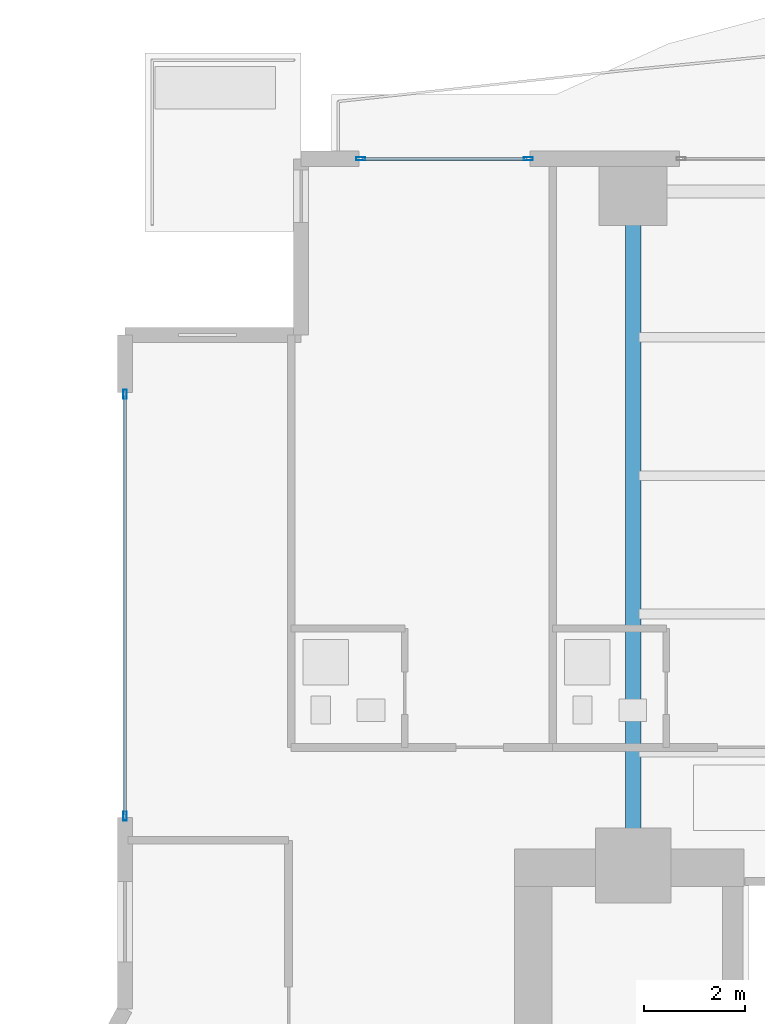
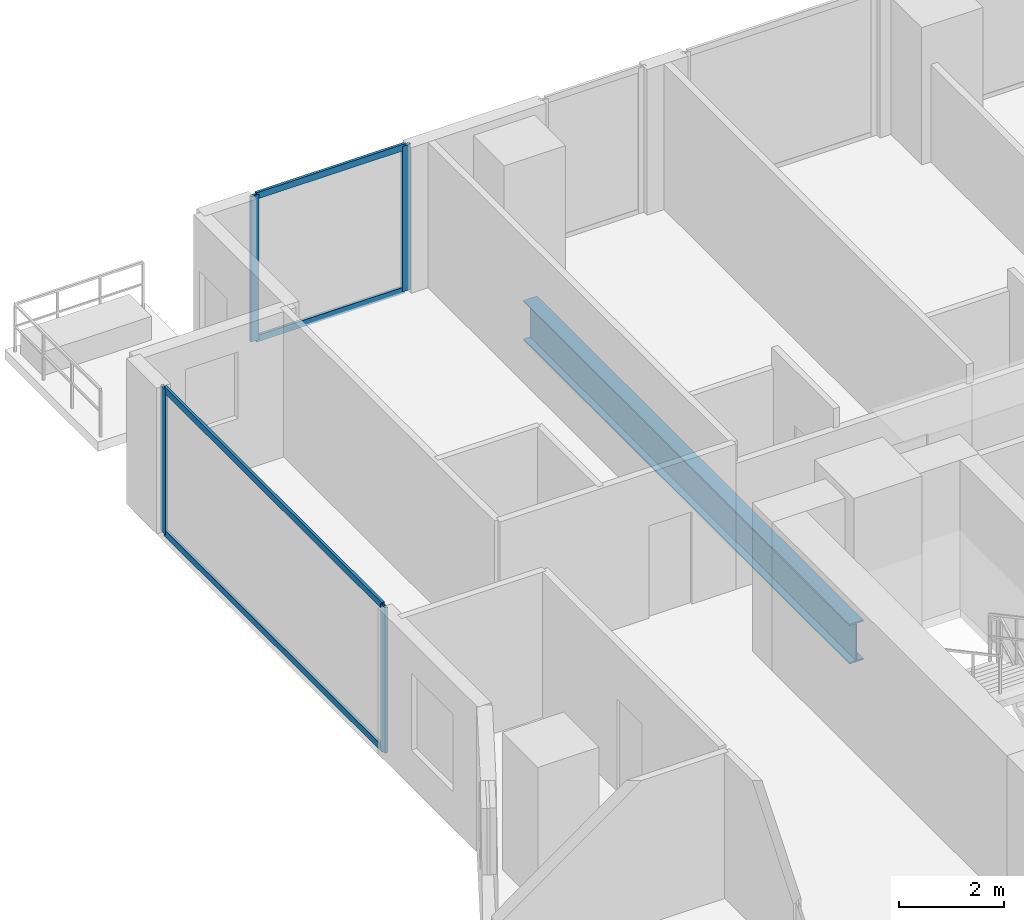
# One storey, part 14 of 29: 8 members, 1 beam, 2 elements without a shape of their own.
"""IFC4 building model written with IfcOpenShell, lengths in metres."""

from ifc_helpers import new_model, si_unit, direction, frame, origin, origin_2d, place, context, subcontext, project, spatial, hollow_rectangle, i_section, extrude, material, layer, layer_set, material_profile, profile_set, type_object, element, aggregate, save


model = new_model("IFC4")

# Units and contexts
model_context = context("Model", 3, precision=1e-05, world=origin(), true_north=direction((0.0, 1.0)))
body_context = subcontext(model_context, "Body", "Model", "MODEL_VIEW")
ifc_project = project(units=[si_unit("LENGTHUNIT", "METRE"), si_unit("AREAUNIT", "SQUARE_METRE"), si_unit("VOLUMEUNIT", "CUBIC_METRE"), si_unit("PLANEANGLEUNIT", "RADIAN"), si_unit("MASSUNIT", "GRAM", prefix="KILO")], contexts=[model_context])

# Site, building, storey
site_placement = place(None, origin())
site = spatial("IfcSite", under=ifc_project, at=site_placement, CompositionType="ELEMENT")
building_placement = place(site_placement, origin())
building = spatial("IfcBuilding", under=site, at=building_placement, Name="Zuhayl Quay Hotel", CompositionType="ELEMENT")
storey_placement = place(building_placement, frame((0.0, 0.0, 158.550048828125)))
storey = spatial("IfcBuildingStorey", under=building, at=storey_placement, Name="L40", CompositionType="ELEMENT", Elevation=158.550048828125)

# Beam
ifc_material_1 = material(Name="Steel ASTM A992 Grade 50", Category="steel")
ifc_material_profile_1 = material_profile(ifc_material_1, i_section(OverallWidth=0.306884765625, OverallDepth=0.927001953125, WebThickness=0.019287109375, FlangeThickness=0.031982421875, at=origin_2d()), Name="W36X194")
ifc_profile_set_1 = profile_set([ifc_material_profile_1], Name="Steel ASTM A992 Grade 50")
beam_type = type_object("IfcBeamType", Name="BM_PG2_W36X194", PredefinedType="BEAM", material=ifc_profile_set_1)
beam_placement = place(storey_placement, frame((-13.800048828125, 14.800048828125, -0.68359375), z_axis=(0.0, 1.0, 0.0), x_axis=(-1.0, 0.0, 0.0)))
element("IfcBeam", 1, at=beam_placement, inside=storey, type_object=beam_type, Name="L40 Floor Beam FG_N_L40_1", PredefinedType="BEAM", context=body_context, shape_type="SweptSolid", body=[
    extrude(i_section(OverallWidth=0.306884765625, OverallDepth=0.927001953125, WebThickness=0.019287109375, FlangeThickness=0.031982421875, at=origin_2d()), origin(), (0.0, 0.0, 1.0), 12.449951171875),
])

# Curtain wall, members
ifc_material_2 = material(Name="Anodised Aluminium 6063-T6", Category="aluminium")
ifc_layer = layer(ifc_material_2, 0.179931640625, Name="Anodised Aluminium 6063-T6", Category="aluminium")
ifc_layer_set = layer_set([ifc_layer], Name="Anodised Aluminium 6063-T6")
curtain_wall_type = type_object("IfcCurtainWallType", Name="CW_SYS_Z2", PredefinedType="USERDEFINED", material=ifc_layer_set)
curtain_wall_1_placement = place(storey_placement, origin())
curtain_wall_1 = element("IfcCurtainWall", 2, at=curtain_wall_1_placement, inside=storey, type_object=curtain_wall_type, Name="L40 Curtain Wall ENV_L40_E05_CW1", ObjectType="UNITISED CURTAIN WALL", PredefinedType="USERDEFINED")
ifc_material_3 = material(Name="Black-anodised aluminium 6063-T6", Category="aluminium")
ifc_material_profile_2 = material_profile(ifc_material_3, hollow_rectangle(XDim=0.06494140625, YDim=0.179931640625, WallThickness=0.00341796875, at=origin_2d()), Name="ALU180X65")
ifc_profile_set_2 = profile_set([ifc_material_profile_2], Name="Black-anodised aluminium 6063-T6")
member_type_1 = type_object("IfcMemberType", Name="MB_CW_MUL_180", PredefinedType="MULLION", material=ifc_profile_set_2)
member_1_placement = place(storey_placement, frame((-23.89990234375, 15.33251953125, 0.0), z_axis=(0.0, 0.0, 1.0), x_axis=(-1.0, 0.0, 0.0)))
member_1 = element("IfcMember", 3, at=member_1_placement, type_object=member_type_1, Name="CW-Z2 mullion 1", PredefinedType="MULLION", context=body_context, shape_type="SweptSolid", body=[
    extrude(hollow_rectangle(XDim=0.06494140625, YDim=0.179931640625, WallThickness=0.00341796875, at=origin_2d()), origin(), (0.0, 0.0, 1.0), 3.389892578125),
])
member_2_placement = place(storey_placement, frame((-23.89990234375, 23.717529296875, 0.0), z_axis=(0.0, 0.0, 1.0), x_axis=(-1.0, 0.0, 0.0)))
member_2 = element("IfcMember", 4, at=member_2_placement, type_object=member_type_1, Name="CW-Z2 mullion 2", PredefinedType="MULLION", context=body_context, shape_type="SweptSolid", body=[
    extrude(hollow_rectangle(XDim=0.06494140625, YDim=0.179931640625, WallThickness=0.00341796875, at=origin_2d()), origin(), (0.0, 0.0, 1.0), 3.389892578125),
])

curtain_wall_2_placement = place(storey_placement, origin())
curtain_wall_2 = element("IfcCurtainWall", 5, at=curtain_wall_2_placement, inside=storey, type_object=curtain_wall_type, Name="L40 Curtain Wall ENV_L40_N_CW1", ObjectType="UNITISED CURTAIN WALL", PredefinedType="USERDEFINED")
member_3_placement = place(storey_placement, frame((-19.217529296875, 28.39990234375, 0.0), z_axis=(0.0, 0.0, 1.0), x_axis=(0.0, 1.0, 0.0)))
member_3 = element("IfcMember", 6, at=member_3_placement, type_object=member_type_1, Name="CW-Z2 mullion 1", PredefinedType="MULLION", context=body_context, shape_type="SweptSolid", body=[
    extrude(hollow_rectangle(XDim=0.06494140625, YDim=0.179931640625, WallThickness=0.00341796875, at=origin_2d()), origin(), (0.0, 0.0, 1.0), 3.389892578125),
])
member_4_placement = place(storey_placement, frame((-15.882568359375, 28.39990234375, 0.0), z_axis=(0.0, 0.0, 1.0), x_axis=(0.0, 1.0, 0.0)))
member_4 = element("IfcMember", 7, at=member_4_placement, type_object=member_type_1, Name="CW-Z2 mullion 2", PredefinedType="MULLION", context=body_context, shape_type="SweptSolid", body=[
    extrude(hollow_rectangle(XDim=0.06494140625, YDim=0.179931640625, WallThickness=0.00341796875, at=origin_2d()), origin(), (0.0, 0.0, 1.0), 3.389892578125),
])

# Member
ifc_material_profile_3 = material_profile(ifc_material_3, hollow_rectangle(XDim=0.06005859375, YDim=0.14990234375, WallThickness=0.00341796875, at=origin_2d()), Name="ALU150X60")
ifc_profile_set_3 = profile_set([ifc_material_profile_3], Name="Black-anodised aluminium 6063-T6")
member_type_2 = type_object("IfcMemberType", Name="MB_CW_TRN_150", PredefinedType="USERDEFINED", material=ifc_profile_set_3)
member_5_placement = place(storey_placement, frame((-23.89990234375, 15.364990234375, 0.030029296875), z_axis=(0.0, 1.0, 0.0), x_axis=(-1.0, 0.0, 0.0)))
member_5 = element("IfcMember", 8, at=member_5_placement, type_object=member_type_2, Name="CW-Z2 transom 1.1", ObjectType="TRANSOM", PredefinedType="USERDEFINED", context=body_context, shape_type="SweptSolid", body=[
    extrude(hollow_rectangle(XDim=0.06005859375, YDim=0.14990234375, WallThickness=0.00341796875, at=origin_2d()), origin(), (0.0, 0.0, 1.0), 8.320068359375),
])

member_6_placement = place(storey_placement, frame((-23.89990234375, 15.364990234375, 3.35986328125), z_axis=(0.0, 1.0, 0.0), x_axis=(-1.0, 0.0, 0.0)))
member_6 = element("IfcMember", 9, at=member_6_placement, type_object=member_type_2, Name="CW-Z2 transom 1.2", ObjectType="TRANSOM", PredefinedType="USERDEFINED", context=body_context, shape_type="SweptSolid", body=[
    extrude(hollow_rectangle(XDim=0.06005859375, YDim=0.14990234375, WallThickness=0.00341796875, at=origin_2d()), origin(), (0.0, 0.0, 1.0), 8.320068359375),
])

aggregate(curtain_wall_1, [member_1, member_2, member_5, member_6])

member_7_placement = place(storey_placement, frame((-19.18505859375, 28.39990234375, 0.030029296875), z_axis=(1.0, 0.0, 0.0), x_axis=(0.0, 1.0, 0.0)))
member_7 = element("IfcMember", 10, at=member_7_placement, type_object=member_type_2, Name="CW-Z2 transom 1.1", ObjectType="TRANSOM", PredefinedType="USERDEFINED", context=body_context, shape_type="SweptSolid", body=[
    extrude(hollow_rectangle(XDim=0.06005859375, YDim=0.14990234375, WallThickness=0.00341796875, at=origin_2d()), origin(), (0.0, 0.0, 1.0), 3.27001953125),
])

member_8_placement = place(storey_placement, frame((-19.18505859375, 28.39990234375, 3.35986328125), z_axis=(1.0, 0.0, 0.0), x_axis=(0.0, 1.0, 0.0)))
member_8 = element("IfcMember", 11, at=member_8_placement, type_object=member_type_2, Name="CW-Z2 transom 1.2", ObjectType="TRANSOM", PredefinedType="USERDEFINED", context=body_context, shape_type="SweptSolid", body=[
    extrude(hollow_rectangle(XDim=0.06005859375, YDim=0.14990234375, WallThickness=0.00341796875, at=origin_2d()), origin(), (0.0, 0.0, 1.0), 3.27001953125),
])

aggregate(curtain_wall_2, [member_3, member_4, member_7, member_8])

save(model, "model.ifc")
